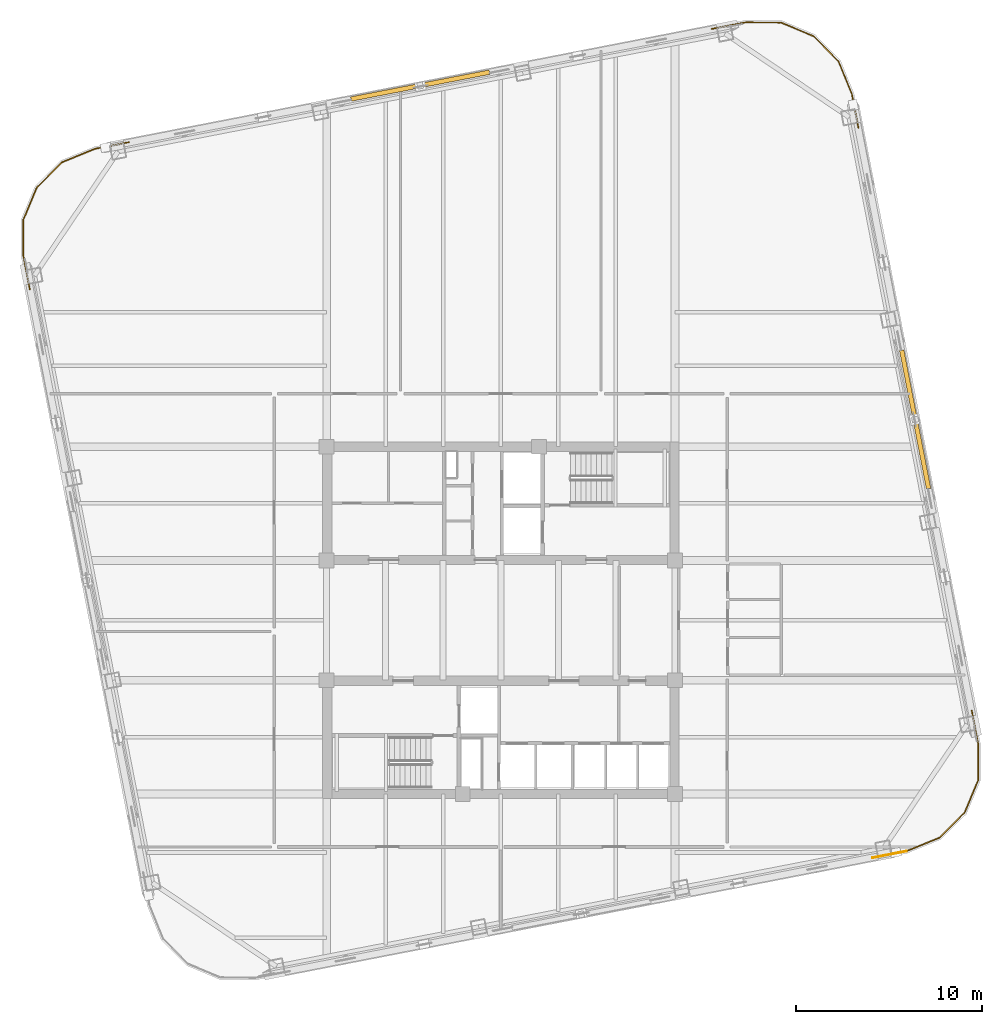
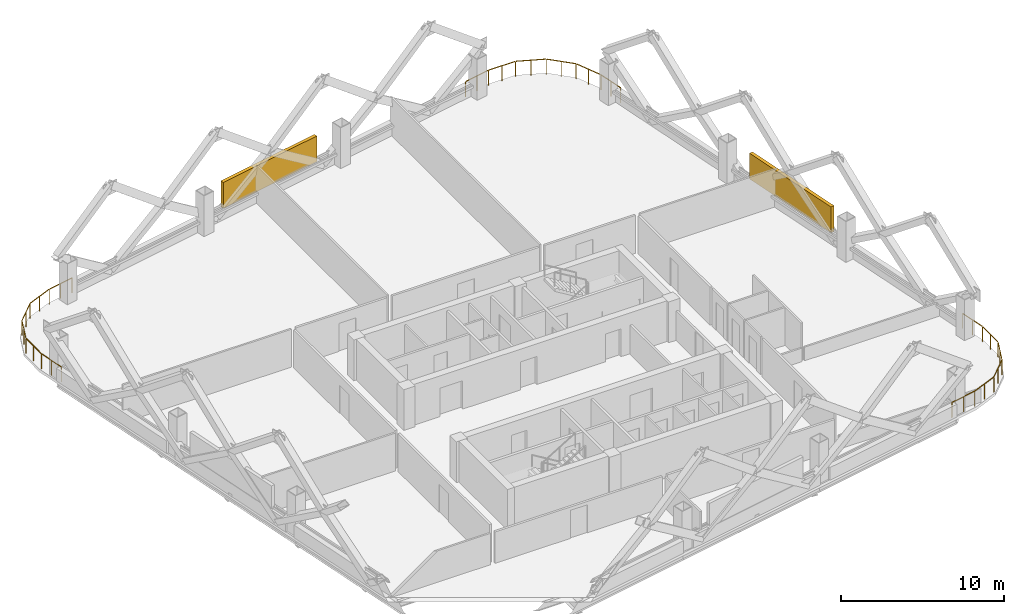
# One storey, part 9 of 9: 4 railings, 2 shading devices.
"""IFC4 building model written with IfcOpenShell, lengths in metres."""

from ifc_helpers import new_model, si_unit, direction, frame, origin, origin_2d, place, context, subcontext, project, spatial, rectangle, extrude, material, type_object, element, save


model = new_model("IFC4")

# Units and contexts
model_context = context("Model", 3, precision=1e-05, world=origin(), true_north=direction((0.0, 1.0)))
body_context = subcontext(model_context, "Body", "Model", "MODEL_VIEW")
ifc_project = project(units=[si_unit("LENGTHUNIT", "METRE"), si_unit("AREAUNIT", "SQUARE_METRE"), si_unit("VOLUMEUNIT", "CUBIC_METRE"), si_unit("PLANEANGLEUNIT", "RADIAN"), si_unit("MASSUNIT", "GRAM", prefix="KILO")], contexts=[model_context])

# Site, building, storey
site_placement = place(None, origin())
site = spatial("IfcSite", under=ifc_project, at=site_placement, CompositionType="ELEMENT")
building_placement = place(site_placement, origin())
building = spatial("IfcBuilding", under=site, at=building_placement, Name="Qhalaya Broadcast Tower", CompositionType="ELEMENT")
storey_placement = place(building_placement, frame((0.0, 0.0, 137.199951171875)))
storey = spatial("IfcBuildingStorey", under=building, at=storey_placement, Name="L40", CompositionType="ELEMENT", Elevation=137.199951171875)

# Railings
ifc_material_1 = material(Name="Powder-Coated Galvanised Steel", Category="steel")
railing_type = type_object("IfcRailingType", Name="Terrace, Sky-Pool & Lookout Glass Balustrade 1150", PredefinedType="BALUSTRADE", material=ifc_material_1)
railing_1_placement = place(storey_placement, frame((21.847412109375, -11.82861328125, 0.0)))
element("IfcRailing", 1, at=railing_1_placement, inside=storey, type_object=railing_type, Name="L40 Rounded Corner Perimeter Guard 01", PredefinedType="BALUSTRADE", context=body_context, shape_type="SweptSolid", body=[
    extrude(rectangle(XDim=0.048095703125, YDim=0.048095703125, at=origin_2d()), frame((0.0, 0.0, 1.1259765625), z_axis=(-0.981618812261, -0.190852056357, 0.0), x_axis=(0.190852056357, -0.981618812261, 0.0)), (0.0, 0.0, 1.0), 1.856201171875),
    extrude(rectangle(XDim=0.0419921875, YDim=0.0419921875, at=origin_2d()), origin(), (0.0, 0.0, 1.0), 1.099853515625),
    extrude(rectangle(XDim=0.0419921875, YDim=0.0419921875, at=origin_2d()), frame((-0.9111328125, -0.17724609375, 0.0)), (0.0, 0.0, 1.0), 1.099853515625),
    extrude(rectangle(XDim=0.0419921875, YDim=0.0419921875, at=origin_2d()), frame((-1.822021484375, -0.354248046875, 0.0)), (0.0, 0.0, 1.0), 1.099853515625),
])
railing_2_placement = place(storey_placement, frame((-25.36181640625, 18.43115234375, 0.0)))
element("IfcRailing", 2, at=railing_2_placement, inside=storey, type_object=railing_type, Name="L40 Rounded Corner Perimeter Guard 03", PredefinedType="BALUSTRADE", context=body_context, shape_type="SweptSolid", body=[
    extrude(rectangle(XDim=0.048095703125, YDim=0.048095703125, at=origin_2d()), frame((0.0, 0.0, 1.1259765625), z_axis=(-0.190827417864, 0.981623602299, 0.0), x_axis=(-0.981623602299, -0.190827417864, 0.0)), (0.0, 0.0, 1.0), 1.82763671875),
    extrude(rectangle(XDim=0.048095703125, YDim=0.048095703125, at=origin_2d()), frame((-0.35400390625, 1.85107421875, 1.1259765625), z_axis=(0.004334482484, 0.999990606087, 0.0), x_axis=(-0.999990606087, 0.004334482484, 0.0)), (0.0, 0.0, 1.0), 1.857421875),
    extrude(rectangle(XDim=0.048095703125, YDim=0.048095703125, at=origin_2d()), frame((-0.334716796875, 3.763916015625, 1.1259765625), z_axis=(0.386754828875, 0.922182575384, 0.0), x_axis=(-0.922182575384, 0.386754828875, 0.0)), (0.0, 0.0, 1.0), 1.845458984375),
    extrude(rectangle(XDim=0.048095703125, YDim=0.048095703125, at=origin_2d()), frame((0.41064453125, 5.5126953125, 1.1259765625), z_axis=(0.710178888649, 0.704021268228, 0.0), x_axis=(-0.704021268228, 0.710178888649, 0.0)), (0.0, 0.0, 1.0), 1.845458984375),
    extrude(rectangle(XDim=0.048095703125, YDim=0.048095703125, at=origin_2d()), frame((1.768310546875, 6.84326171875, 1.1259765625), z_axis=(0.92552055863, 0.378697366711, 0.0), x_axis=(-0.378697366711, 0.92552055863, 0.0)), (0.0, 0.0, 1.0), 1.857666015625),
    extrude(rectangle(XDim=0.048095703125, YDim=0.048095703125, at=origin_2d()), frame((3.542724609375, 7.563232421875, 1.1259765625), z_axis=(0.981643446311, 0.190725311155, 0.0), x_axis=(-0.190725311155, 0.981643446311, 0.0)), (0.0, 0.0, 1.0), 1.8271484375),
    extrude(rectangle(XDim=0.0419921875, YDim=0.0419921875, at=origin_2d()), origin(), (0.0, 0.0, 1.0), 1.099853515625),
    extrude(rectangle(XDim=0.0419921875, YDim=0.0419921875, at=origin_2d()), frame((-0.17724609375, 0.9111328125, 0.0)), (0.0, 0.0, 1.0), 1.099853515625),
    extrude(rectangle(XDim=0.0419921875, YDim=0.0419921875, at=origin_2d()), frame((-0.354248046875, 1.822265625, 0.0)), (0.0, 0.0, 1.0), 1.099853515625),
    extrude(rectangle(XDim=0.0419921875, YDim=0.0419921875, at=origin_2d()), frame((-0.35009765625, 2.77978515625, 0.0)), (0.0, 0.0, 1.0), 1.099853515625),
    extrude(rectangle(XDim=0.0419921875, YDim=0.0419921875, at=origin_2d()), frame((-0.345947265625, 3.7373046875, 0.0)), (0.0, 0.0, 1.0), 1.099853515625),
    extrude(rectangle(XDim=0.0419921875, YDim=0.0419921875, at=origin_2d()), frame((0.02197265625, 4.61474609375, 0.0)), (0.0, 0.0, 1.0), 1.099853515625),
    extrude(rectangle(XDim=0.0419921875, YDim=0.0419921875, at=origin_2d()), frame((0.39013671875, 5.492431640625, 0.0)), (0.0, 0.0, 1.0), 1.099853515625),
    extrude(rectangle(XDim=0.0419921875, YDim=0.0419921875, at=origin_2d()), frame((1.06591796875, 6.162353515625, 0.0)), (0.0, 0.0, 1.0), 1.099853515625),
    extrude(rectangle(XDim=0.0419921875, YDim=0.0419921875, at=origin_2d()), frame((1.74169921875, 6.832275390625, 0.0)), (0.0, 0.0, 1.0), 1.099853515625),
    extrude(rectangle(XDim=0.0419921875, YDim=0.0419921875, at=origin_2d()), frame((2.6279296875, 7.19482421875, 0.0)), (0.0, 0.0, 1.0), 1.099853515625),
    extrude(rectangle(XDim=0.0419921875, YDim=0.0419921875, at=origin_2d()), frame((3.514404296875, 7.5576171875, 0.0)), (0.0, 0.0, 1.0), 1.099853515625),
    extrude(rectangle(XDim=0.0419921875, YDim=0.0419921875, at=origin_2d()), frame((4.42529296875, 7.734619140625, 0.0)), (0.0, 0.0, 1.0), 1.099853515625),
    extrude(rectangle(XDim=0.0419921875, YDim=0.0419921875, at=origin_2d()), frame((5.33642578125, 7.91162109375, 0.0)), (0.0, 0.0, 1.0), 1.099853515625),
])
railing_3_placement = place(storey_placement, frame((11.351318359375, 32.44189453125, 0.0)))
element("IfcRailing", 3, at=railing_3_placement, inside=storey, type_object=railing_type, Name="L40 Rounded Corner Perimeter Guard 04", PredefinedType="BALUSTRADE", context=body_context, shape_type="SweptSolid", body=[
    extrude(rectangle(XDim=0.048095703125, YDim=0.048095703125, at=origin_2d()), frame((0.0, 0.0, 1.1259765625), z_axis=(0.981643446311, 0.190725311155, 0.0), x_axis=(-0.190725311155, 0.981643446311, 0.0)), (0.0, 0.0, 1.0), 1.8271484375),
    extrude(rectangle(XDim=0.048095703125, YDim=0.048095703125, at=origin_2d()), frame((1.850830078125, 0.353759765625, 1.1259765625), z_axis=(0.999990606087, -0.004334482484, 0.0), x_axis=(0.004334482484, 0.999990606087, 0.0)), (0.0, 0.0, 1.0), 1.857421875),
    extrude(rectangle(XDim=0.048095703125, YDim=0.048095703125, at=origin_2d()), frame((3.763671875, 0.33447265625, 1.1259765625), z_axis=(0.922247496545, -0.386599993684, 0.0), x_axis=(0.386599993684, 0.922247496545, 0.0)), (0.0, 0.0, 1.0), 1.845703125),
    extrude(rectangle(XDim=0.048095703125, YDim=0.048095703125, at=origin_2d()), frame((5.5126953125, -0.41064453125, 1.1259765625), z_axis=(0.704021268228, -0.710178888649, 0.0), x_axis=(0.710178888649, 0.704021268228, 0.0)), (0.0, 0.0, 1.0), 1.845458984375),
    extrude(rectangle(XDim=0.048095703125, YDim=0.048095703125, at=origin_2d()), frame((6.84326171875, -1.768310546875, 1.1259765625), z_axis=(0.378588174109, -0.925565229698, 0.0), x_axis=(0.925565229698, 0.378588174109, 0.0)), (0.0, 0.0, 1.0), 1.857666015625),
    extrude(rectangle(XDim=0.048095703125, YDim=0.048095703125, at=origin_2d()), frame((7.56298828125, -3.542724609375, 1.1259765625), z_axis=(0.190725311155, -0.981643446311, 0.0), x_axis=(0.981643446311, 0.190725311155, 0.0)), (0.0, 0.0, 1.0), 1.8271484375),
    extrude(rectangle(XDim=0.0419921875, YDim=0.0419921875, at=origin_2d()), origin(), (0.0, 0.0, 1.0), 1.099853515625),
    extrude(rectangle(XDim=0.0419921875, YDim=0.0419921875, at=origin_2d()), frame((0.9111328125, 0.177001953125, 0.0)), (0.0, 0.0, 1.0), 1.099853515625),
    extrude(rectangle(XDim=0.0419921875, YDim=0.0419921875, at=origin_2d()), frame((1.822021484375, 0.35400390625, 0.0)), (0.0, 0.0, 1.0), 1.099853515625),
    extrude(rectangle(XDim=0.0419921875, YDim=0.0419921875, at=origin_2d()), frame((2.779541015625, 0.349853515625, 0.0)), (0.0, 0.0, 1.0), 1.099853515625),
    extrude(rectangle(XDim=0.0419921875, YDim=0.0419921875, at=origin_2d()), frame((3.737060546875, 0.345703125, 0.0)), (0.0, 0.0, 1.0), 1.099853515625),
    extrude(rectangle(XDim=0.0419921875, YDim=0.0419921875, at=origin_2d()), frame((4.61474609375, -0.022216796875, 0.0)), (0.0, 0.0, 1.0), 1.099853515625),
    extrude(rectangle(XDim=0.0419921875, YDim=0.0419921875, at=origin_2d()), frame((5.492431640625, -0.39013671875, 0.0)), (0.0, 0.0, 1.0), 1.099853515625),
    extrude(rectangle(XDim=0.0419921875, YDim=0.0419921875, at=origin_2d()), frame((6.162353515625, -1.06591796875, 0.0)), (0.0, 0.0, 1.0), 1.099853515625),
    extrude(rectangle(XDim=0.0419921875, YDim=0.0419921875, at=origin_2d()), frame((6.832275390625, -1.74169921875, 0.0)), (0.0, 0.0, 1.0), 1.099853515625),
    extrude(rectangle(XDim=0.0419921875, YDim=0.0419921875, at=origin_2d()), frame((7.19482421875, -2.6279296875, 0.0)), (0.0, 0.0, 1.0), 1.099853515625),
    extrude(rectangle(XDim=0.0419921875, YDim=0.0419921875, at=origin_2d()), frame((7.557373046875, -3.514404296875, 0.0)), (0.0, 0.0, 1.0), 1.099853515625),
    extrude(rectangle(XDim=0.0419921875, YDim=0.0419921875, at=origin_2d()), frame((7.734375, -4.42529296875, 0.0)), (0.0, 0.0, 1.0), 1.099853515625),
    extrude(rectangle(XDim=0.0419921875, YDim=0.0419921875, at=origin_2d()), frame((7.911376953125, -5.33642578125, 0.0)), (0.0, 0.0, 1.0), 1.099853515625),
])
railing_4_placement = place(storey_placement, frame((25.36181640625, -4.271240234375, 0.0)))
element("IfcRailing", 4, at=railing_4_placement, inside=storey, type_object=railing_type, Name="L40 Rounded Corner Perimeter Guard 05", PredefinedType="BALUSTRADE", context=body_context, shape_type="SweptSolid", body=[
    extrude(rectangle(XDim=0.048095703125, YDim=0.048095703125, at=origin_2d()), frame((0.0, 0.0, 1.1259765625), z_axis=(0.190827417864, -0.981623602299, 0.0), x_axis=(0.981623602299, 0.190827417864, 0.0)), (0.0, 0.0, 1.0), 1.82763671875),
    extrude(rectangle(XDim=0.048095703125, YDim=0.048095703125, at=origin_2d()), frame((0.35400390625, -1.85107421875, 1.1259765625), z_axis=(-0.004334482484, -0.999990606087, 0.0), x_axis=(0.999990606087, -0.004334482484, 0.0)), (0.0, 0.0, 1.0), 1.857421875),
    extrude(rectangle(XDim=0.048095703125, YDim=0.048095703125, at=origin_2d()), frame((0.334716796875, -3.763916015625, 1.1259765625), z_axis=(-0.386754828875, -0.922182575384, 0.0), x_axis=(0.922182575384, -0.386754828875, 0.0)), (0.0, 0.0, 1.0), 1.845458984375),
    extrude(rectangle(XDim=0.048095703125, YDim=0.048095703125, at=origin_2d()), frame((-0.41064453125, -5.5126953125, 1.1259765625), z_axis=(-0.710178888649, -0.704021268228, 0.0), x_axis=(0.704021268228, -0.710178888649, 0.0)), (0.0, 0.0, 1.0), 1.845458984375),
    extrude(rectangle(XDim=0.048095703125, YDim=0.048095703125, at=origin_2d()), frame((-1.768310546875, -6.84326171875, 1.1259765625), z_axis=(-0.925565229698, -0.378588174109, 0.0), x_axis=(0.378588174109, -0.925565229698, 0.0)), (0.0, 0.0, 1.0), 1.886474609375),
    extrude(rectangle(XDim=0.0419921875, YDim=0.0419921875, at=origin_2d()), origin(), (0.0, 0.0, 1.0), 1.099853515625),
    extrude(rectangle(XDim=0.0419921875, YDim=0.0419921875, at=origin_2d()), frame((0.17724609375, -0.9111328125, 0.0)), (0.0, 0.0, 1.0), 1.099853515625),
    extrude(rectangle(XDim=0.0419921875, YDim=0.0419921875, at=origin_2d()), frame((0.354248046875, -1.822265625, 0.0)), (0.0, 0.0, 1.0), 1.099853515625),
    extrude(rectangle(XDim=0.0419921875, YDim=0.0419921875, at=origin_2d()), frame((0.35009765625, -2.77978515625, 0.0)), (0.0, 0.0, 1.0), 1.099853515625),
    extrude(rectangle(XDim=0.0419921875, YDim=0.0419921875, at=origin_2d()), frame((0.345947265625, -3.7373046875, 0.0)), (0.0, 0.0, 1.0), 1.099853515625),
    extrude(rectangle(XDim=0.0419921875, YDim=0.0419921875, at=origin_2d()), frame((-0.02197265625, -4.61474609375, 0.0)), (0.0, 0.0, 1.0), 1.099853515625),
    extrude(rectangle(XDim=0.0419921875, YDim=0.0419921875, at=origin_2d()), frame((-0.39013671875, -5.492431640625, 0.0)), (0.0, 0.0, 1.0), 1.099853515625),
    extrude(rectangle(XDim=0.0419921875, YDim=0.0419921875, at=origin_2d()), frame((-1.06591796875, -6.162353515625, 0.0)), (0.0, 0.0, 1.0), 1.099853515625),
    extrude(rectangle(XDim=0.0419921875, YDim=0.0419921875, at=origin_2d()), frame((-1.74169921875, -6.832275390625, 0.0)), (0.0, 0.0, 1.0), 1.099853515625),
    extrude(rectangle(XDim=0.0419921875, YDim=0.0419921875, at=origin_2d()), frame((-2.6279296875, -7.19482421875, 0.0)), (0.0, 0.0, 1.0), 1.099853515625),
    extrude(rectangle(XDim=0.0419921875, YDim=0.0419921875, at=origin_2d()), frame((-3.514404296875, -7.557373046875, 0.0)), (0.0, 0.0, 1.0), 1.099853515625),
])

# Shading devices
ifc_material_2 = material(Name="Fired Architectural Terracotta", Category="masonry")
shading_device_type = type_object("IfcShadingDeviceType", Name="Terracotta Baguette Solar Screen Assembly TBS-01", PredefinedType="USERDEFINED", material=ifc_material_2)
for number, where, z_axis, x_axis, name in (
    (5, (22.3125, 11.4169921875, 0.79248046875), (0.0, 0.0, 1.0), (-0.190808995377, 0.981627183448, 0.0), "L40 Fired Terracotta Baguette Screen E"),
    (6, (-4.337158203125, 29.392333984375, 0.79248046875), (0.0, 0.0, 1.0), (-0.981627183448, -0.190808995377, 0.0), "L40 Fired Terracotta Baguette Screen N"),
):
    element("IfcShadingDevice", number, at=place(storey_placement, frame(where, z_axis=z_axis, x_axis=x_axis)), inside=storey, type_object=shading_device_type, Name=name, ObjectType="BAGUETTE", PredefinedType="USERDEFINED", context=body_context, shape_type="SweptSolid", body=[
        extrude(rectangle(XDim=7.60009765625, YDim=0.239990234375, at=origin_2d()), origin(), (0.0, 0.0, 1.0), 1.924072265625),
    ])

save(model, "model.ifc")
